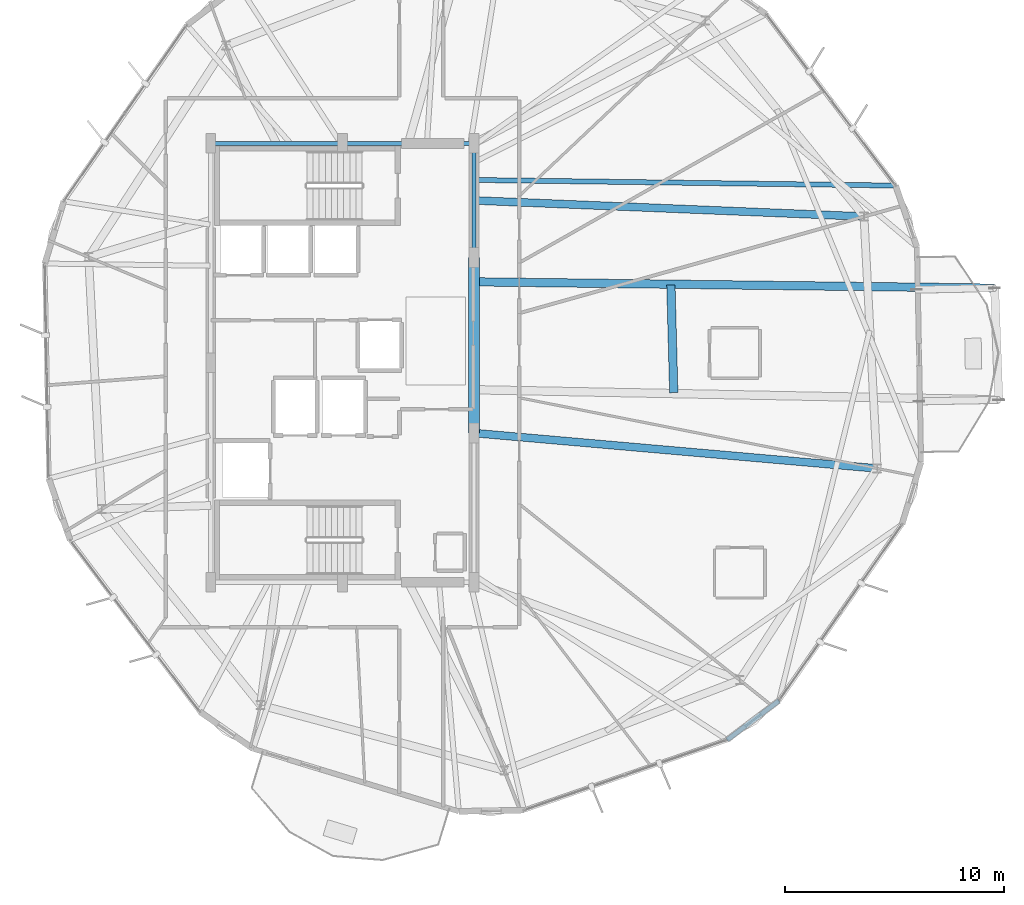
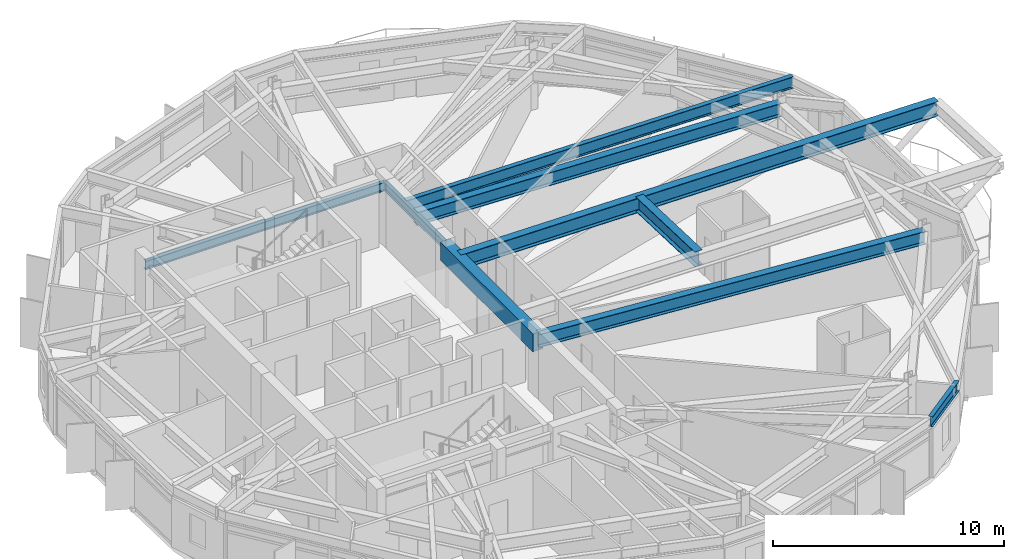
# One storey, part 13 of 34: 10 beams.
"""IFC4 building model written with IfcOpenShell, lengths in metres."""

from ifc_helpers import new_model, si_unit, direction, frame, origin, origin_2d, place, context, subcontext, project, spatial, rectangle, i_section, extrude, material, material_profile, profile_set, type_object, element, save


model = new_model("IFC4")

# Units and contexts
model_context = context("Model", 3, precision=1e-05, world=origin(), true_north=direction((0.0, 1.0)))
body_context = subcontext(model_context, "Body", "Model", "MODEL_VIEW")
ifc_project = project(units=[si_unit("LENGTHUNIT", "METRE"), si_unit("AREAUNIT", "SQUARE_METRE"), si_unit("VOLUMEUNIT", "CUBIC_METRE"), si_unit("PLANEANGLEUNIT", "RADIAN"), si_unit("MASSUNIT", "GRAM", prefix="KILO")], contexts=[model_context])

# Site, building, storey
site_placement = place(None, origin())
site = spatial("IfcSite", under=ifc_project, at=site_placement, CompositionType="ELEMENT")
building_placement = place(site_placement, origin())
building = spatial("IfcBuilding", under=site, at=building_placement, Name="Soratama Intermodal Tower", CompositionType="ELEMENT")
storey_placement = place(building_placement, frame((0.0, 0.0, 233.800048828125)))
storey = spatial("IfcBuildingStorey", under=building, at=storey_placement, Name="L59", CompositionType="ELEMENT", Elevation=233.800048828125)

# Beams
ifc_material_1 = material(Name="Concrete f'c 56 MPa", Category="concrete")
ifc_material_profile_1 = material_profile(ifc_material_1, rectangle(XDim=0.5, YDim=0.949951171875, at=origin_2d()), Name="RC500X950")
ifc_profile_set_1 = profile_set([ifc_material_profile_1], Name="Concrete f'c 56 MPa")
beam_type_1 = type_object("IfcBeamType", Name="BM-CPL-RC500X950", PredefinedType="BEAM", material=ifc_profile_set_1)
beam_1_placement = place(storey_placement, frame((44.60009765625, 21.800048828125, 2.744873046875), z_axis=(0.0, 1.0, 0.0), x_axis=(-1.0, 0.0, 0.0)))
element("IfcBeam", 1, at=beam_1_placement, inside=storey, type_object=beam_type_1, Name="L59 Core Coupling Beam East", PredefinedType="BEAM", context=body_context, shape_type="SweptSolid", body=[
    extrude(rectangle(XDim=0.5, YDim=0.949951171875, at=origin_2d()), origin(), (0.0, 0.0, 1.0), 8.0),
])
ifc_material_2 = material(Name="Structural steel ASTM A992 Grade 50", Category="steel")
ifc_material_profile_2 = material_profile(ifc_material_2, i_section(OverallWidth=0.19091796875, OverallDepth=0.4599609375, WebThickness=0.010009765625, FlangeThickness=0.01611328125, FilletRadius=0.010986328125, at=origin_2d()), Name="W18X55")
ifc_profile_set_2 = profile_set([ifc_material_profile_2], Name="Structural steel ASTM A992 Grade 50")
beam_type_2 = type_object("IfcBeamType", Name="BM-FLR-W18X55", PredefinedType="BEAM", material=ifc_profile_set_2)
beam_2_placement = place(storey_placement, frame((44.60009765625, 29.800048828125, 2.989990234375), z_axis=(0.0, 1.0, 0.0), x_axis=(-1.0, 0.0, 0.0)))
element("IfcBeam", 2, at=beam_2_placement, inside=storey, type_object=beam_type_2, Name="BM-L59-CRING-05", PredefinedType="BEAM", context=body_context, shape_type="SweptSolid", body=[
    extrude(i_section(OverallWidth=0.19091796875, OverallDepth=0.4599609375, WebThickness=0.010009765625, FlangeThickness=0.01611328125, FilletRadius=0.010986328125, at=origin_2d()), origin(), (0.0, 0.0, 1.0), 5.199951171875),
])
for number, where, z_axis, x_axis, name in (
    (3, (44.60009765625, 35.0, 2.989990234375), (-1.0, 0.0, 0.0), (0.0, -1.0, 0.0), "BM-L59-CRING-06"),
    (4, (38.60009765625, 35.0, 2.989990234375), (-1.0, 0.0, 0.0), (0.0, -1.0, 0.0), "BM-L59-CRING-07"),
):
    element("IfcBeam", number, at=place(storey_placement, frame(where, z_axis=z_axis, x_axis=x_axis)), inside=storey, type_object=beam_type_2, Name=name, PredefinedType="BEAM", context=body_context, shape_type="SweptSolid", body=[
        extrude(i_section(OverallWidth=0.19091796875, OverallDepth=0.4599609375, WebThickness=0.010009765625, FlangeThickness=0.01611328125, FilletRadius=0.010986328125, at=origin_2d()), origin(), (0.0, 0.0, 1.0), 6.0),
    ])
ifc_material_3 = material(Name="Structural steel ASTM A992 Grade 50", Category="steel")
ifc_material_profile_3 = material_profile(ifc_material_3, i_section(OverallWidth=0.382080078125, OverallDepth=0.779052734375, WebThickness=0.01806640625, FlangeThickness=0.030029296875, FilletRadius=0.01806640625, at=origin_2d()), Name="W30X191")
ifc_profile_set_3 = profile_set([ifc_material_profile_3], Name="Structural steel ASTM A992 Grade 50")
beam_type_3 = type_object("IfcBeamType", Name="BM-POOL-EXT-W30", PredefinedType="BEAM", material=ifc_profile_set_3)
beam_3_placement = place(storey_placement, frame((44.639892578125, 28.69091796875, 2.83056640625), z_axis=(0.99992661964, -0.012114261626, 0.0), x_axis=(0.012114261626, 0.99992661964, 0.0)))
element("IfcBeam", 5, at=beam_3_placement, inside=storey, type_object=beam_type_3, Name="BM-L59-POOL-CT2", PredefinedType="BEAM", context=body_context, shape_type="SweptSolid", body=[
    extrude(i_section(OverallWidth=0.382080078125, OverallDepth=0.779052734375, WebThickness=0.01806640625, FlangeThickness=0.030029296875, FilletRadius=0.01806640625, at=origin_2d()), origin(), (0.0, 0.0, 1.0), 23.679931640625),
])
ifc_material_4 = material(Name="Structural steel ASTM A992 Grade 50", Category="steel")
ifc_material_profile_4 = material_profile(ifc_material_4, i_section(OverallWidth=0.382080078125, OverallDepth=0.779052734375, WebThickness=0.01806640625, FlangeThickness=0.030029296875, FilletRadius=0.01806640625, at=origin_2d()), Name="W30X191")
ifc_profile_set_4 = profile_set([ifc_material_profile_4], Name="Structural steel ASTM A992 Grade 50")
beam_type_4 = type_object("IfcBeamType", Name="BM-POOL-W30X191", PredefinedType="BEAM", material=ifc_profile_set_4)
beam_4_placement = place(storey_placement, frame((53.697021484375, 23.638916015625, 2.83056640625), z_axis=(-0.02652523825, 0.999648143967, 0.0), x_axis=(-0.999648143967, -0.02652523825, 0.0)))
element("IfcBeam", 6, at=beam_4_placement, inside=storey, type_object=beam_type_4, Name="BM-L59-POOL-BK1", PredefinedType="BEAM", context=body_context, shape_type="SweptSolid", body=[
    extrude(i_section(OverallWidth=0.382080078125, OverallDepth=0.779052734375, WebThickness=0.01806640625, FlangeThickness=0.030029296875, FilletRadius=0.01806640625, at=origin_2d()), origin(), (0.0, 0.0, 1.0), 4.90576171875),
])
ifc_material_5 = material(Name="Structural steel ASTM A992 Grade 50", Category="steel")
ifc_material_profile_5 = material_profile(ifc_material_5, i_section(OverallWidth=0.35498046875, OverallDepth=0.695068359375, WebThickness=0.015380859375, FlangeThickness=0.02490234375, FilletRadius=0.01611328125, at=origin_2d()), Name="W27X146")
ifc_profile_set_5 = profile_set([ifc_material_profile_5], Name="Structural steel ASTM A992 Grade 50")
beam_type_5 = type_object("IfcBeamType", Name="BM-RING-W27X146", PredefinedType="BEAM", material=ifc_profile_set_5)
beam_5_placement = place(storey_placement, frame((44.60009765625, 32.39990234375, 2.87255859375), z_axis=(0.999147788389, -0.041275864109, 0.0), x_axis=(0.041275864109, 0.999147788389, 0.0)))
element("IfcBeam", 7, at=beam_5_placement, inside=storey, type_object=beam_type_5, Name="BM-L59-RAD-01", PredefinedType="BEAM", context=body_context, shape_type="SweptSolid", body=[
    extrude(i_section(OverallWidth=0.35498046875, OverallDepth=0.695068359375, WebThickness=0.015380859375, FlangeThickness=0.02490234375, FilletRadius=0.01611328125, at=origin_2d()), origin(), (0.0, 0.0, 1.0), 17.780029296875),
])
beam_6_placement = place(storey_placement, frame((44.60009765625, 21.800048828125, 2.87255859375), z_axis=(0.996160716813, -0.087543282317, 0.0), x_axis=(0.087543282317, 0.996160716813, 0.0)))
element("IfcBeam", 8, at=beam_6_placement, inside=storey, type_object=beam_type_5, Name="BM-L59-RAD-10", PredefinedType="BEAM", context=body_context, shape_type="SweptSolid", body=[
    extrude(i_section(OverallWidth=0.35498046875, OverallDepth=0.695068359375, WebThickness=0.015380859375, FlangeThickness=0.02490234375, FilletRadius=0.01611328125, at=origin_2d()), origin(), (0.0, 0.0, 1.0), 18.436767578125),
])
ifc_material_6 = material(Name="Structural steel ASTM A992 Grade 50", Category="steel")
ifc_material_profile_6 = material_profile(ifc_material_6, i_section(OverallWidth=0.2099609375, OverallDepth=0.537109375, WebThickness=0.010986328125, FlangeThickness=0.017333984375, FilletRadius=0.012939453125, at=origin_2d()), Name="W21X68")
ifc_profile_set_6 = profile_set([ifc_material_profile_6], Name="Structural steel ASTM A992 Grade 50")
beam_type_6 = type_object("IfcBeamType", Name="BM-SPN-W21X68", PredefinedType="SPANDREL", material=ifc_profile_set_6)
beam_7_placement = place(storey_placement, frame((56.126953125, 7.81591796875, 2.951416015625), z_axis=(0.797752974566, 0.602984404086, 0.0), x_axis=(-0.602984404086, 0.797752974566, 0.0)))
element("IfcBeam", 9, at=beam_7_placement, inside=storey, type_object=beam_type_6, Name="BS-L59-CRN07", PredefinedType="SPANDREL", context=body_context, shape_type="SweptSolid", body=[
    extrude(i_section(OverallWidth=0.2099609375, OverallDepth=0.537109375, WebThickness=0.010986328125, FlangeThickness=0.017333984375, FilletRadius=0.012939453125, at=origin_2d()), origin(), (0.0, 0.0, 1.0), 2.967041015625),
])
ifc_material_7 = material(Name="Structural steel ASTM A992 Grade 50", Category="steel")
ifc_material_profile_7 = material_profile(ifc_material_7, i_section(OverallWidth=0.22900390625, OverallDepth=0.612060546875, WebThickness=0.011962890625, FlangeThickness=0.01953125, FilletRadius=0.012939453125, at=origin_2d()), Name="W24X84")
ifc_profile_set_7 = profile_set([ifc_material_profile_7], Name="Structural steel ASTM A992 Grade 50")
beam_type_7 = type_object("IfcBeamType", Name="BM-TIE-W24X84", PredefinedType="BEAM", material=ifc_profile_set_7)
beam_8_placement = place(storey_placement, frame((44.639892578125, 33.33203125, 2.9140625), z_axis=(0.99991079222, -0.013356930829, 0.0), x_axis=(0.013356930829, 0.99991079222, 0.0)))
element("IfcBeam", 10, at=beam_8_placement, inside=storey, type_object=beam_type_7, Name="BM-L59-TIE0-10", PredefinedType="BEAM", context=body_context, shape_type="SweptSolid", body=[
    extrude(i_section(OverallWidth=0.22900390625, OverallDepth=0.612060546875, WebThickness=0.011962890625, FlangeThickness=0.01953125, FilletRadius=0.012939453125, at=origin_2d()), origin(), (0.0, 0.0, 1.0), 19.173828125),
])

save(model, "model.ifc")
